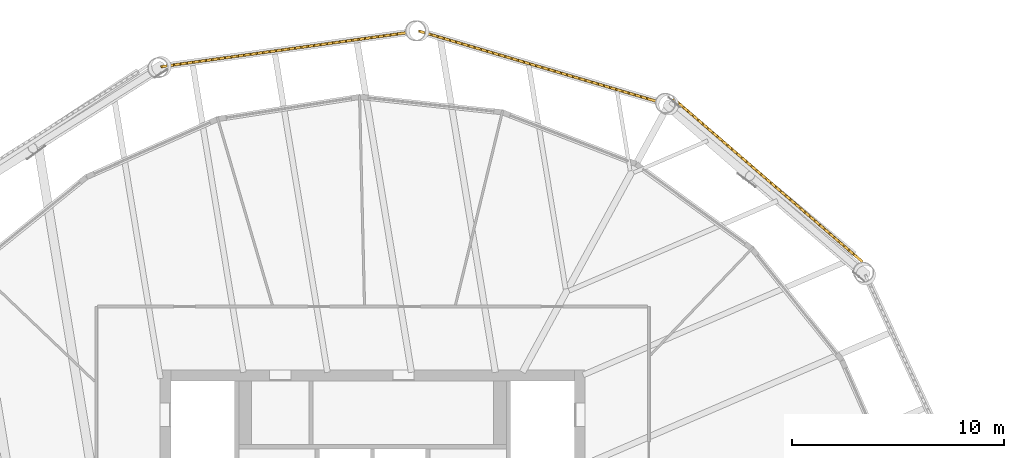
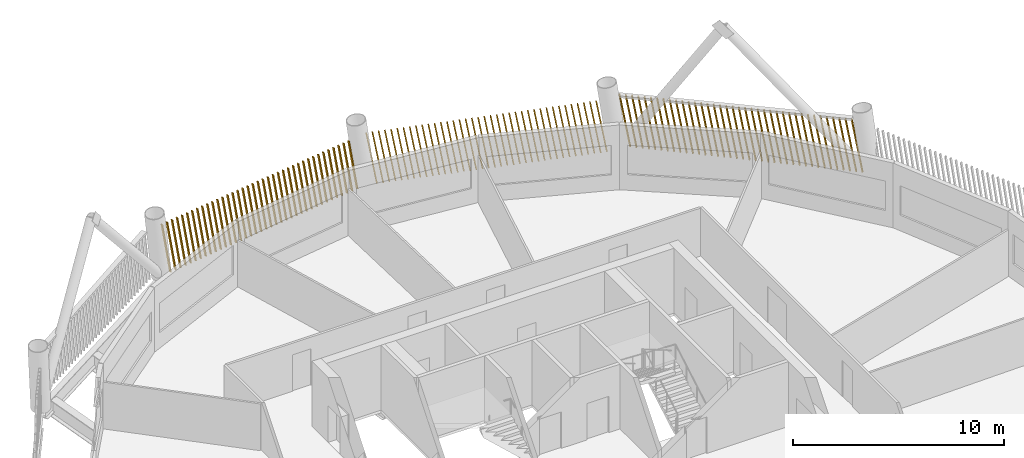
# One storey, part 22 of 23: 3 shading devices.
"""IFC4 building model written with IfcOpenShell, lengths in metres."""

from ifc_helpers import new_model, si_unit, direction, frame, frame_2d, origin, place, context, subcontext, project, spatial, rectangle, composite_profile, extrude, material, type_object, element, save


model = new_model("IFC4")

# Units and contexts
model_context = context("Model", 3, precision=1e-05, world=origin(), true_north=direction((0.0, 1.0)))
body_context = subcontext(model_context, "Body", "Model", "MODEL_VIEW")
ifc_project = project(units=[si_unit("LENGTHUNIT", "METRE"), si_unit("AREAUNIT", "SQUARE_METRE"), si_unit("VOLUMEUNIT", "CUBIC_METRE"), si_unit("PLANEANGLEUNIT", "RADIAN"), si_unit("MASSUNIT", "GRAM", prefix="KILO")], contexts=[model_context])

# Site, building, storey
site_placement = place(None, origin())
site = spatial("IfcSite", under=ifc_project, at=site_placement, CompositionType="ELEMENT")
building_placement = place(site_placement, origin())
building = spatial("IfcBuilding", under=site, at=building_placement, Name="Tarsis Ring Headquarters", CompositionType="ELEMENT")
storey_placement = place(building_placement, frame((0.0, 0.0, 323.60009765625)))
storey = spatial("IfcBuildingStorey", under=building, at=storey_placement, Name="L76", CompositionType="ELEMENT", Elevation=323.60009765625)

# Shading devices
ifc_material = material(Name="Terracotta baguette", Category="masonry")
shading_device_type = type_object("IfcShadingDeviceType", Name="Terracotta baguette screen", PredefinedType="USERDEFINED", material=ifc_material)
shading_device_1_placement = place(storey_placement, frame((23.060546875, 18.099609375, 0.0), z_axis=(0.0, 0.0, 1.0), x_axis=(-0.756874660879, 0.653564839935, 0.0)))
element("IfcShadingDevice", 1, at=shading_device_1_placement, inside=storey, type_object=shading_device_type, Name="Baguette screen L76-10", ObjectType="Terracotta baguette screen", PredefinedType="USERDEFINED", context=body_context, shape_type="SweptSolid", body=[
    extrude(composite_profile([rectangle(XDim=0.06005859375, YDim=0.1201171875, at=frame_2d((0.030029296875, 0.0))), rectangle(XDim=0.06005859375, YDim=0.1201171875, at=frame_2d((0.33251953125, 0.0))), rectangle(XDim=0.06005859375, YDim=0.1201171875, at=frame_2d((0.634765625, 0.0))), rectangle(XDim=0.06005859375, YDim=0.1201171875, at=frame_2d((0.937255859375, 0.0))), rectangle(XDim=0.06005859375, YDim=0.1201171875, at=frame_2d((1.239501953125, 0.0))), rectangle(XDim=0.06005859375, YDim=0.1201171875, at=frame_2d((1.5419921875, 0.0))), rectangle(XDim=0.06005859375, YDim=0.1201171875, at=frame_2d((1.844482421875, 0.0))), rectangle(XDim=0.06005859375, YDim=0.1201171875, at=frame_2d((2.146728515625, 0.0))), rectangle(XDim=0.06005859375, YDim=0.1201171875, at=frame_2d((2.44921875, 0.0))), rectangle(XDim=0.06005859375, YDim=0.1201171875, at=frame_2d((2.751708984375, 0.0))), rectangle(XDim=0.06005859375, YDim=0.1201171875, at=frame_2d((3.053955078125, 0.0))), rectangle(XDim=0.06005859375, YDim=0.1201171875, at=frame_2d((3.3564453125, 0.0))), rectangle(XDim=0.06005859375, YDim=0.1201171875, at=frame_2d((3.65869140625, 0.0))), rectangle(XDim=0.06005859375, YDim=0.1201171875, at=frame_2d((3.961181640625, 0.0))), rectangle(XDim=0.06005859375, YDim=0.1201171875, at=frame_2d((4.263671875, 0.0))), rectangle(XDim=0.06005859375, YDim=0.1201171875, at=frame_2d((4.56591796875, 0.0))), rectangle(XDim=0.06005859375, YDim=0.1201171875, at=frame_2d((4.868408203125, 0.0))), rectangle(XDim=0.06005859375, YDim=0.1201171875, at=frame_2d((5.1708984375, 0.0))), rectangle(XDim=0.06005859375, YDim=0.1201171875, at=frame_2d((5.47314453125, 0.0))), rectangle(XDim=0.06005859375, YDim=0.1201171875, at=frame_2d((5.775634765625, 0.0))), rectangle(XDim=0.06005859375, YDim=0.1201171875, at=frame_2d((6.077880859375, 0.0))), rectangle(XDim=0.06005859375, YDim=0.1201171875, at=frame_2d((6.38037109375, 0.0))), rectangle(XDim=0.06005859375, YDim=0.1201171875, at=frame_2d((6.682861328125, 0.0))), rectangle(XDim=0.06005859375, YDim=0.1201171875, at=frame_2d((6.985107421875, 0.0))), rectangle(XDim=0.06005859375, YDim=0.1201171875, at=frame_2d((7.28759765625, 0.0))), rectangle(XDim=0.06005859375, YDim=0.1201171875, at=frame_2d((7.590087890625, 0.0))), rectangle(XDim=0.06005859375, YDim=0.1201171875, at=frame_2d((7.892333984375, 0.0))), rectangle(XDim=0.06005859375, YDim=0.1201171875, at=frame_2d((8.19482421875, 0.0))), rectangle(XDim=0.06005859375, YDim=0.1201171875, at=frame_2d((8.4970703125, 0.0))), rectangle(XDim=0.06005859375, YDim=0.1201171875, at=frame_2d((8.799560546875, 0.0))), rectangle(XDim=0.06005859375, YDim=0.1201171875, at=frame_2d((9.10205078125, 0.0))), rectangle(XDim=0.06005859375, YDim=0.1201171875, at=frame_2d((9.404296875, 0.0))), rectangle(XDim=0.06005859375, YDim=0.1201171875, at=frame_2d((9.706787109375, 0.0))), rectangle(XDim=0.06005859375, YDim=0.1201171875, at=frame_2d((10.00927734375, 0.0))), rectangle(XDim=0.06005859375, YDim=0.1201171875, at=frame_2d((10.3115234375, 0.0))), rectangle(XDim=0.06005859375, YDim=0.1201171875, at=frame_2d((10.614013671875, 0.0))), rectangle(XDim=0.06005859375, YDim=0.1201171875, at=frame_2d((10.916259765625, 0.0))), rectangle(XDim=0.06005859375, YDim=0.1201171875, at=frame_2d((11.21875, 0.0)))]), origin(), (0.173294235511, 0.001571474372, 0.984868843251), 3.013427734375),
])
shading_device_2_placement = place(storey_placement, frame((13.443603515625, 25.63623046875, 0.0), z_axis=(0.0, 0.0, 1.0), x_axis=(-0.958979924037, 0.283494302767, 0.0)))
element("IfcShadingDevice", 2, at=shading_device_2_placement, inside=storey, type_object=shading_device_type, Name="Baguette screen L76-11", ObjectType="Terracotta baguette screen", PredefinedType="USERDEFINED", context=body_context, shape_type="SweptSolid", body=[
    extrude(composite_profile([rectangle(XDim=0.06005859375, YDim=0.1201171875, at=frame_2d((0.030029296875, 0.0))), rectangle(XDim=0.06005859375, YDim=0.1201171875, at=frame_2d((0.33251953125, 0.0))), rectangle(XDim=0.06005859375, YDim=0.1201171875, at=frame_2d((0.634765625, 0.0))), rectangle(XDim=0.06005859375, YDim=0.1201171875, at=frame_2d((0.937255859375, 0.0))), rectangle(XDim=0.06005859375, YDim=0.1201171875, at=frame_2d((1.239501953125, 0.0))), rectangle(XDim=0.06005859375, YDim=0.1201171875, at=frame_2d((1.5419921875, 0.0))), rectangle(XDim=0.06005859375, YDim=0.1201171875, at=frame_2d((1.844482421875, 0.0))), rectangle(XDim=0.06005859375, YDim=0.1201171875, at=frame_2d((2.146728515625, 0.0))), rectangle(XDim=0.06005859375, YDim=0.1201171875, at=frame_2d((2.44921875, 0.0))), rectangle(XDim=0.06005859375, YDim=0.1201171875, at=frame_2d((2.751708984375, 0.0))), rectangle(XDim=0.06005859375, YDim=0.1201171875, at=frame_2d((3.053955078125, 0.0))), rectangle(XDim=0.06005859375, YDim=0.1201171875, at=frame_2d((3.3564453125, 0.0))), rectangle(XDim=0.06005859375, YDim=0.1201171875, at=frame_2d((3.65869140625, 0.0))), rectangle(XDim=0.06005859375, YDim=0.1201171875, at=frame_2d((3.961181640625, 0.0))), rectangle(XDim=0.06005859375, YDim=0.1201171875, at=frame_2d((4.263671875, 0.0))), rectangle(XDim=0.06005859375, YDim=0.1201171875, at=frame_2d((4.56591796875, 0.0))), rectangle(XDim=0.06005859375, YDim=0.1201171875, at=frame_2d((4.868408203125, 0.0))), rectangle(XDim=0.06005859375, YDim=0.1201171875, at=frame_2d((5.1708984375, 0.0))), rectangle(XDim=0.06005859375, YDim=0.1201171875, at=frame_2d((5.47314453125, 0.0))), rectangle(XDim=0.06005859375, YDim=0.1201171875, at=frame_2d((5.775634765625, 0.0))), rectangle(XDim=0.06005859375, YDim=0.1201171875, at=frame_2d((6.077880859375, 0.0))), rectangle(XDim=0.06005859375, YDim=0.1201171875, at=frame_2d((6.38037109375, 0.0))), rectangle(XDim=0.06005859375, YDim=0.1201171875, at=frame_2d((6.682861328125, 0.0))), rectangle(XDim=0.06005859375, YDim=0.1201171875, at=frame_2d((6.985107421875, 0.0))), rectangle(XDim=0.06005859375, YDim=0.1201171875, at=frame_2d((7.28759765625, 0.0))), rectangle(XDim=0.06005859375, YDim=0.1201171875, at=frame_2d((7.590087890625, 0.0))), rectangle(XDim=0.06005859375, YDim=0.1201171875, at=frame_2d((7.892333984375, 0.0))), rectangle(XDim=0.06005859375, YDim=0.1201171875, at=frame_2d((8.19482421875, 0.0))), rectangle(XDim=0.06005859375, YDim=0.1201171875, at=frame_2d((8.4970703125, 0.0))), rectangle(XDim=0.06005859375, YDim=0.1201171875, at=frame_2d((8.799560546875, 0.0))), rectangle(XDim=0.06005859375, YDim=0.1201171875, at=frame_2d((9.10205078125, 0.0))), rectangle(XDim=0.06005859375, YDim=0.1201171875, at=frame_2d((9.404296875, 0.0))), rectangle(XDim=0.06005859375, YDim=0.1201171875, at=frame_2d((9.706787109375, 0.0))), rectangle(XDim=0.06005859375, YDim=0.1201171875, at=frame_2d((10.00927734375, 0.0))), rectangle(XDim=0.06005859375, YDim=0.1201171875, at=frame_2d((10.3115234375, 0.0))), rectangle(XDim=0.06005859375, YDim=0.1201171875, at=frame_2d((10.614013671875, 0.0))), rectangle(XDim=0.06005859375, YDim=0.1201171875, at=frame_2d((10.916259765625, 0.0))), rectangle(XDim=0.06005859375, YDim=0.1201171875, at=frame_2d((11.21875, 0.0)))]), origin(), (0.171102301455, 0.001553187932, 0.985252043918), 3.01220703125),
])
shading_device_3_placement = place(storey_placement, frame((1.681396484375, 28.8984375, 0.0), z_axis=(0.0, 0.0, 1.0), x_axis=(-0.990580575149, -0.13699403147, 0.0)))
element("IfcShadingDevice", 3, at=shading_device_3_placement, inside=storey, type_object=shading_device_type, Name="Baguette screen L76-12", ObjectType="Terracotta baguette screen", PredefinedType="USERDEFINED", context=body_context, shape_type="SweptSolid", body=[
    extrude(composite_profile([rectangle(XDim=0.06005859375, YDim=0.1201171875, at=frame_2d((0.030029296875, 0.0))), rectangle(XDim=0.06005859375, YDim=0.1201171875, at=frame_2d((0.33251953125, 0.0))), rectangle(XDim=0.06005859375, YDim=0.1201171875, at=frame_2d((0.634765625, 0.0))), rectangle(XDim=0.06005859375, YDim=0.1201171875, at=frame_2d((0.937255859375, 0.0))), rectangle(XDim=0.06005859375, YDim=0.1201171875, at=frame_2d((1.239501953125, 0.0))), rectangle(XDim=0.06005859375, YDim=0.1201171875, at=frame_2d((1.5419921875, 0.0))), rectangle(XDim=0.06005859375, YDim=0.1201171875, at=frame_2d((1.844482421875, 0.0))), rectangle(XDim=0.06005859375, YDim=0.1201171875, at=frame_2d((2.146728515625, 0.0))), rectangle(XDim=0.06005859375, YDim=0.1201171875, at=frame_2d((2.44921875, 0.0))), rectangle(XDim=0.06005859375, YDim=0.1201171875, at=frame_2d((2.751708984375, 0.0))), rectangle(XDim=0.06005859375, YDim=0.1201171875, at=frame_2d((3.053955078125, 0.0))), rectangle(XDim=0.06005859375, YDim=0.1201171875, at=frame_2d((3.3564453125, 0.0))), rectangle(XDim=0.06005859375, YDim=0.1201171875, at=frame_2d((3.65869140625, 0.0))), rectangle(XDim=0.06005859375, YDim=0.1201171875, at=frame_2d((3.961181640625, 0.0))), rectangle(XDim=0.06005859375, YDim=0.1201171875, at=frame_2d((4.263671875, 0.0))), rectangle(XDim=0.06005859375, YDim=0.1201171875, at=frame_2d((4.56591796875, 0.0))), rectangle(XDim=0.06005859375, YDim=0.1201171875, at=frame_2d((4.868408203125, 0.0))), rectangle(XDim=0.06005859375, YDim=0.1201171875, at=frame_2d((5.1708984375, 0.0))), rectangle(XDim=0.06005859375, YDim=0.1201171875, at=frame_2d((5.47314453125, 0.0))), rectangle(XDim=0.06005859375, YDim=0.1201171875, at=frame_2d((5.775634765625, 0.0))), rectangle(XDim=0.06005859375, YDim=0.1201171875, at=frame_2d((6.077880859375, 0.0))), rectangle(XDim=0.06005859375, YDim=0.1201171875, at=frame_2d((6.38037109375, 0.0))), rectangle(XDim=0.06005859375, YDim=0.1201171875, at=frame_2d((6.682861328125, 0.0))), rectangle(XDim=0.06005859375, YDim=0.1201171875, at=frame_2d((6.985107421875, 0.0))), rectangle(XDim=0.06005859375, YDim=0.1201171875, at=frame_2d((7.28759765625, 0.0))), rectangle(XDim=0.06005859375, YDim=0.1201171875, at=frame_2d((7.590087890625, 0.0))), rectangle(XDim=0.06005859375, YDim=0.1201171875, at=frame_2d((7.892333984375, 0.0))), rectangle(XDim=0.06005859375, YDim=0.1201171875, at=frame_2d((8.19482421875, 0.0))), rectangle(XDim=0.06005859375, YDim=0.1201171875, at=frame_2d((8.4970703125, 0.0))), rectangle(XDim=0.06005859375, YDim=0.1201171875, at=frame_2d((8.799560546875, 0.0))), rectangle(XDim=0.06005859375, YDim=0.1201171875, at=frame_2d((9.10205078125, 0.0))), rectangle(XDim=0.06005859375, YDim=0.1201171875, at=frame_2d((9.404296875, 0.0))), rectangle(XDim=0.06005859375, YDim=0.1201171875, at=frame_2d((9.706787109375, 0.0))), rectangle(XDim=0.06005859375, YDim=0.1201171875, at=frame_2d((10.00927734375, 0.0))), rectangle(XDim=0.06005859375, YDim=0.1201171875, at=frame_2d((10.3115234375, 0.0))), rectangle(XDim=0.06005859375, YDim=0.1201171875, at=frame_2d((10.614013671875, 0.0))), rectangle(XDim=0.06005859375, YDim=0.1201171875, at=frame_2d((10.916259765625, 0.0))), rectangle(XDim=0.06005859375, YDim=0.1201171875, at=frame_2d((11.21875, 0.0)))]), origin(), (0.17110307373, 0.001552733666, 0.985251910517), 3.01220703125),
])

save(model, "model.ifc")
